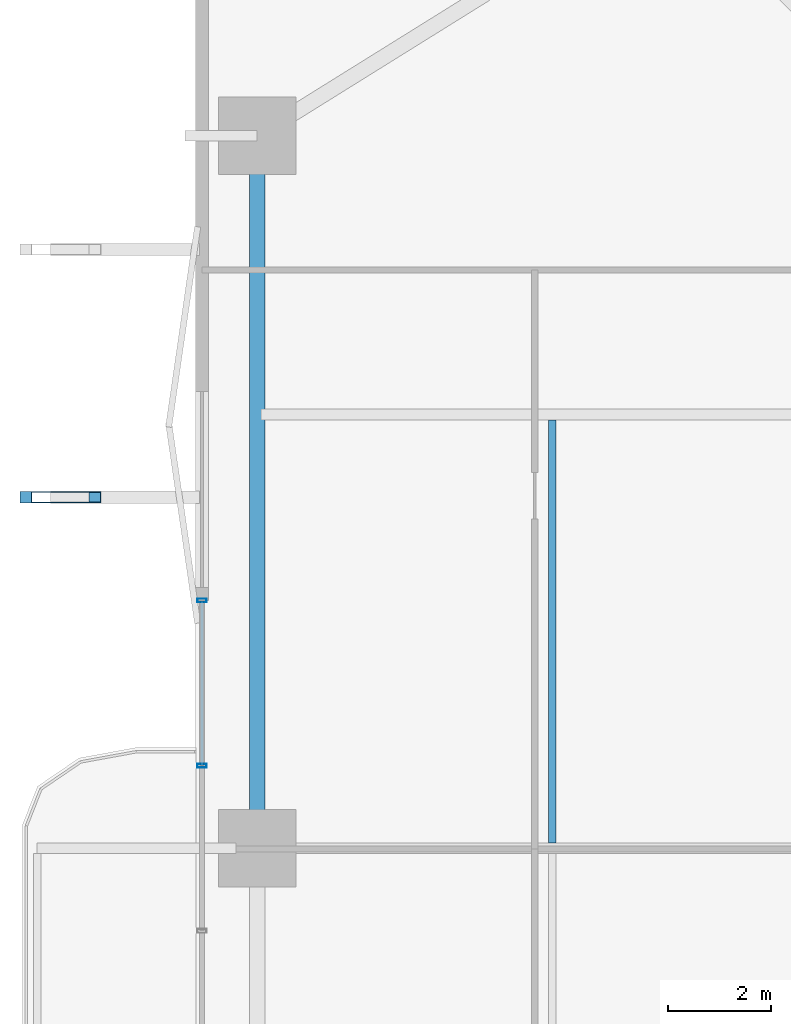
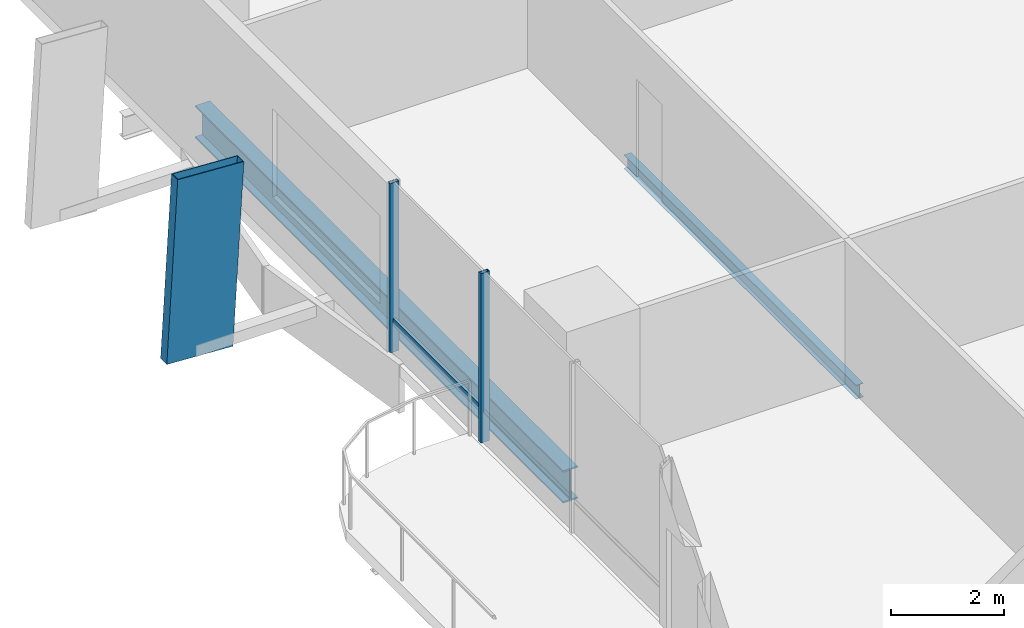
# One storey, part 9 of 24: 4 members, 2 beams, 1 element without a shape of its own.
"""IFC4 building model written with IfcOpenShell, lengths in metres."""

from ifc_helpers import new_model, si_unit, direction, frame, origin, origin_2d, place, context, subcontext, project, spatial, hollow_rectangle, i_section, extrude, material, layer, layer_set, material_profile, profile_set, type_object, element, aggregate, save


model = new_model("IFC4")

# Units and contexts
model_context = context("Model", 3, precision=1e-05, world=origin(), true_north=direction((0.0, 1.0)))
body_context = subcontext(model_context, "Body", "Model", "MODEL_VIEW")
ifc_project = project(units=[si_unit("LENGTHUNIT", "METRE"), si_unit("AREAUNIT", "SQUARE_METRE"), si_unit("VOLUMEUNIT", "CUBIC_METRE"), si_unit("PLANEANGLEUNIT", "RADIAN"), si_unit("MASSUNIT", "GRAM", prefix="KILO")], contexts=[model_context])

# Site, building, storey
site_placement = place(None, origin())
site = spatial("IfcSite", under=ifc_project, at=site_placement, CompositionType="ELEMENT")
building_placement = place(site_placement, origin())
building = spatial("IfcBuilding", under=site, at=building_placement, Name="Belovzor Exchange Tower", CompositionType="ELEMENT")
storey_placement = place(building_placement, frame((0.0, 0.0, 45.60009765625)))
storey = spatial("IfcBuildingStorey", under=building, at=storey_placement, Name="L10", CompositionType="ELEMENT", Elevation=45.60009765625)

# Member
ifc_material_1 = material(Name="Extruded Architectural Terracotta on Steel S355 Carrier", Category="masonry")
ifc_material_profile_1 = material_profile(ifc_material_1, hollow_rectangle(XDim=0.219970703125, YDim=1.35009765625, WallThickness=0.013916015625, at=origin_2d()))
ifc_profile_set_1 = profile_set([ifc_material_profile_1], Name="Extruded Architectural Terracotta on Steel S355 Carrier")
member_type_1 = type_object("IfcMemberType", Name="Base Arc Sweeping Terracotta Pylon Fin 1450", PredefinedType="USERDEFINED", material=ifc_profile_set_1)
member_1_placement = place(storey_placement, frame((-1.821044921875, 35.60009765625, -0.25), z_axis=(0.057124545683, 0.0, 0.998367059894), x_axis=(0.0, 1.0, 0.0)))
element("IfcMember", 1, at=member_1_placement, inside=storey, type_object=member_type_1, Name="FIN-TC145 Terracotta Facade Fin L10 W3", ObjectType="FIN", PredefinedType="USERDEFINED", context=body_context, shape_type="SweptSolid", body=[
    extrude(hollow_rectangle(XDim=0.219970703125, YDim=1.35009765625, WallThickness=0.013916015625, at=origin_2d()), origin(), (0.0, 0.0, 1.0), 3.90625),
])

# Beam
ifc_material_2 = material(Name="Steel S355", Category="steel")
ifc_material_profile_2 = material_profile(ifc_material_2, i_section(OverallWidth=0.14990234375, OverallDepth=0.300048828125, WebThickness=0.007080078125, FlangeThickness=0.0107421875, at=origin_2d()))
ifc_profile_set_2 = profile_set([ifc_material_profile_2], Name="Steel S355")
beam_type_1 = type_object("IfcBeamType", Name="Secondary Trim Floor Joist IPE 300", PredefinedType="BEAM", material=ifc_profile_set_2)
beam_1_placement = place(storey_placement, frame((7.81494140625, 28.905029296875, -0.400146484375), z_axis=(0.0, 1.0, 0.0), x_axis=(-1.0, 0.0, 0.0)))
element("IfcBeam", 2, at=beam_1_placement, inside=storey, type_object=beam_type_1, Name="FJ-300 Secondary Trim Floor Joist IPE 300", PredefinedType="BEAM", context=body_context, shape_type="SweptSolid", body=[
    extrude(i_section(OverallWidth=0.14990234375, OverallDepth=0.300048828125, WebThickness=0.007080078125, FlangeThickness=0.0107421875, at=origin_2d()), origin(), (0.0, 0.0, 1.0), 8.18994140625),
])

# Curtain wall, members
ifc_material_3 = material(Name="Anodised Aluminium Framing", Category="aluminium")
ifc_layer = layer(ifc_material_3, 0.179931640625)
ifc_layer_set = layer_set([ifc_layer], Name="Anodised Aluminium Framing")
curtain_wall_type = type_object("IfcCurtainWallType", Name="Recessed Loggia Low-Iron Triple-Glazed Curtain Wall", PredefinedType="NOTDEFINED", material=ifc_layer_set)
curtain_wall_placement = place(storey_placement, origin())
curtain_wall = element("IfcCurtainWall", 3, at=curtain_wall_placement, inside=storey, type_object=curtain_wall_type, Name="CW3 Recessed Loggia Low-Iron Triple-Glazed Curtain Wall L10", PredefinedType="NOTDEFINED")
ifc_material_4 = material(Name="Steel S355", Category="steel")
ifc_material_profile_3 = material_profile(ifc_material_4, hollow_rectangle(XDim=0.074951171875, YDim=0.179931640625, WallThickness=0.0048828125, at=origin_2d()))
ifc_profile_set_3 = profile_set([ifc_material_profile_3], Name="Steel S355")
member_type_2 = type_object("IfcMemberType", Name="Thermally Broken Curtain Wall Mullion 180x75", PredefinedType="MULLION", material=ifc_profile_set_3)
member_2_placement = place(storey_placement, frame((1.030029296875, 30.39990234375, 0.0), z_axis=(0.0, 0.0, 1.0), x_axis=(0.0, 1.0, 0.0)))
member_2 = element("IfcMember", 4, at=member_2_placement, type_object=member_type_2, Name="CW-M180 Curtain Wall Mullion 3", PredefinedType="MULLION", context=body_context, shape_type="SweptSolid", body=[
    extrude(hollow_rectangle(XDim=0.074951171875, YDim=0.179931640625, WallThickness=0.0048828125, at=origin_2d()), origin(), (0.0, 0.0, 1.0), 3.64990234375),
])
member_3_placement = place(storey_placement, frame((1.030029296875, 33.60009765625, 0.0), z_axis=(0.0, 0.0, 1.0), x_axis=(0.0, 1.0, 0.0)))
member_3 = element("IfcMember", 5, at=member_3_placement, type_object=member_type_2, Name="CW-M180 Curtain Wall Mullion 4", PredefinedType="MULLION", context=body_context, shape_type="SweptSolid", body=[
    extrude(hollow_rectangle(XDim=0.074951171875, YDim=0.179931640625, WallThickness=0.0048828125, at=origin_2d()), origin(), (0.0, 0.0, 1.0), 3.64990234375),
])
ifc_material_5 = material(Name="Steel S355", Category="steel")
ifc_material_profile_4 = material_profile(ifc_material_5, hollow_rectangle(XDim=0.06005859375, YDim=0.14990234375, WallThickness=0.00390625, at=origin_2d()))
ifc_profile_set_4 = profile_set([ifc_material_profile_4], Name="Steel S355")
member_type_3 = type_object("IfcMemberType", Name="Thermally Broken Curtain Wall Transom 150x60", PredefinedType="USERDEFINED", material=ifc_profile_set_4)
member_4_placement = place(storey_placement, frame((1.030029296875, 30.407958984375, 0.64990234375), z_axis=(0.0, 1.0, 0.0), x_axis=(-1.0, 0.0, 0.0)))
member_4 = element("IfcMember", 6, at=member_4_placement, type_object=member_type_3, Name="CW-T150 Curtain Wall Transom 3", ObjectType="TRANSOM", PredefinedType="USERDEFINED", context=body_context, shape_type="SweptSolid", body=[
    extrude(hollow_rectangle(XDim=0.06005859375, YDim=0.14990234375, WallThickness=0.00390625, at=origin_2d()), origin(), (0.0, 0.0, 1.0), 3.18408203125),
])
aggregate(curtain_wall, [member_2, member_3, member_4])

# Beam
ifc_material_6 = material(Name="Steel S355", Category="steel")
ifc_material_profile_5 = material_profile(ifc_material_6, i_section(OverallWidth=0.300048828125, OverallDepth=0.699951171875, WebThickness=0.01708984375, FlangeThickness=0.031982421875, at=origin_2d()))
ifc_profile_set_5 = profile_set([ifc_material_profile_5], Name="Steel S355")
beam_type_2 = type_object("IfcBeamType", Name="Zone 1 Primary Perimeter Girder HEB 700", PredefinedType="BEAM", material=ifc_profile_set_5)
beam_2_placement = place(storey_placement, frame((2.10009765625, 42.18798828125, -0.60009765625), z_axis=(0.0, -1.0, 0.0), x_axis=(1.0, 0.0, 0.0)))
element("IfcBeam", 7, at=beam_2_placement, inside=storey, type_object=beam_type_2, Name="FG-Z1 Zone 1 Primary Perimeter Girder HEB 700", PredefinedType="BEAM", context=body_context, shape_type="SweptSolid", body=[
    extrude(i_section(OverallWidth=0.300048828125, OverallDepth=0.699951171875, WebThickness=0.01708984375, FlangeThickness=0.031982421875, at=origin_2d()), origin(), (0.0, 0.0, 1.0), 12.97509765625),
])

save(model, "model.ifc")
